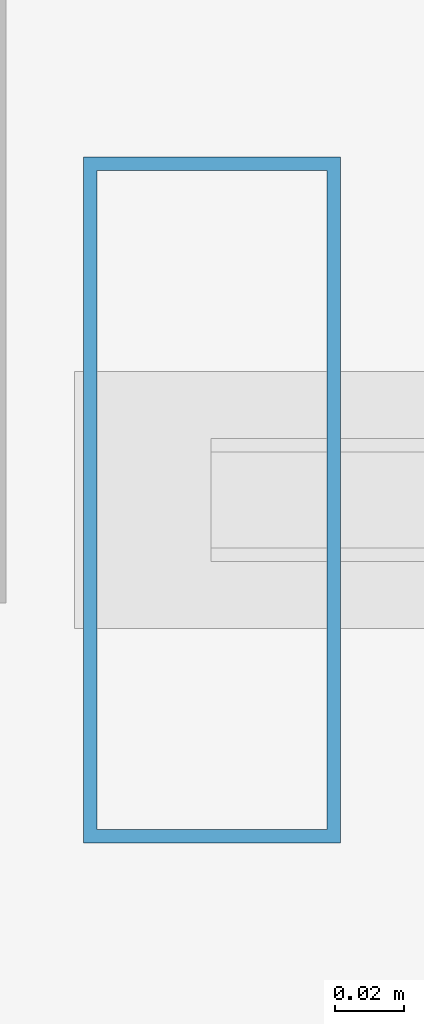
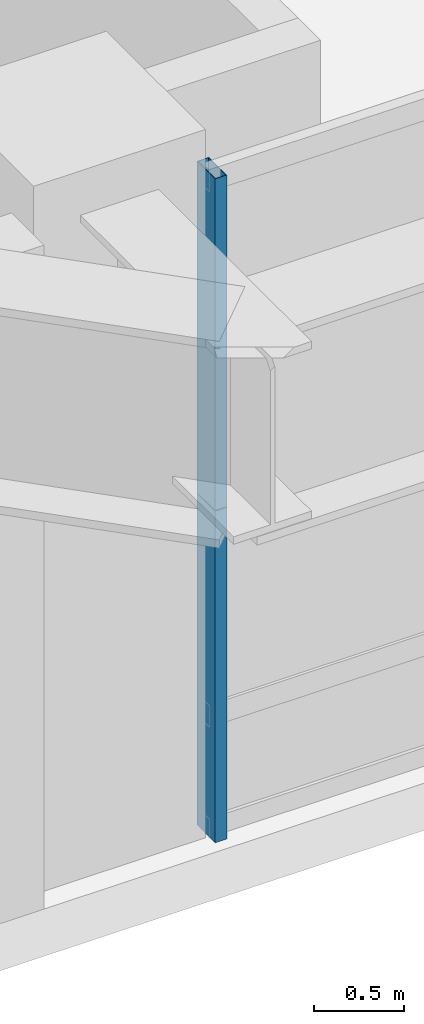
# One storey, part 4 of 34: 2 members, 1 element without a shape of its own.
"""IFC4 building model written with IfcOpenShell, lengths in metres."""

from ifc_helpers import new_model, si_unit, direction, frame, origin, origin_2d, place, context, subcontext, project, spatial, hollow_rectangle, extrude, source, transform, mapped, material, layer, layer_set, material_profile, profile_set, type_object, element, aggregate, save


model = new_model("IFC4")

# Units and contexts
model_context = context("Model", 3, precision=1e-05, world=origin(), true_north=direction((0.0, 1.0)))
body_context = subcontext(model_context, "Body", "Model", "MODEL_VIEW")
ifc_project = project(units=[si_unit("LENGTHUNIT", "METRE"), si_unit("AREAUNIT", "SQUARE_METRE"), si_unit("VOLUMEUNIT", "CUBIC_METRE"), si_unit("PLANEANGLEUNIT", "RADIAN"), si_unit("MASSUNIT", "GRAM", prefix="KILO"), si_unit("THERMODYNAMICTEMPERATUREUNIT", "KELVIN"), si_unit("POWERUNIT", "WATT")], contexts=[model_context])

# Site, building, storey
site_placement = place(None, origin())
site = spatial("IfcSite", under=ifc_project, at=site_placement, CompositionType="ELEMENT")
building_placement = place(site_placement, origin())
building = spatial("IfcBuilding", under=site, at=building_placement, Name="Yuzanri Waterfront Tower", CompositionType="ELEMENT")
storey_placement = place(building_placement, frame((0.0, 0.0, 25.800048828125)))
storey = spatial("IfcBuildingStorey", under=building, at=storey_placement, Name="L06", CompositionType="ELEMENT", Elevation=25.800048828125)

# Curtain wall, members
ifc_material_1 = material(Name="Anodized Architectural Bronze", Category="metal")
ifc_layer = layer(ifc_material_1, 0.159912109375)
ifc_layer_set = layer_set([ifc_layer], Name="Anodized Architectural Bronze")
curtain_wall_type = type_object("IfcCurtainWallType", Name="Anodized Bronze Podium Waterfront Double-Height Unitized Curtain Wall 8400", PredefinedType="NOTDEFINED", material=ifc_layer_set)
curtain_wall_placement = place(storey_placement, origin())
curtain_wall = element("IfcCurtainWall", 1, at=curtain_wall_placement, inside=storey, type_object=curtain_wall_type, Name="L06 Curtain Wall CW-L06-S1", PredefinedType="NOTDEFINED")
ifc_material_2 = material(Name="Anodized Architectural Bronze", Category="metal")
ifc_material_profile = material_profile(ifc_material_2, hollow_rectangle(XDim=0.074951171875, YDim=0.199951171875, WallThickness=0.00390625, at=origin_2d()), Name="CWM 75x200")
ifc_profile_set = profile_set([ifc_material_profile], Name="Anodized Architectural Bronze")
member_type = type_object("IfcMemberType", Name="Anodized Bronze Primary Curtain-Wall Mullion 75x200", PredefinedType="MULLION", material=ifc_profile_set)
shared_shape = source(origin(), body_context, "Body", "SweptSolid", [
    extrude(hollow_rectangle(XDim=0.074951171875, YDim=0.199951171875, WallThickness=0.00390625, at=origin_2d()), origin(), (0.0, 0.0, 1.0), 2.248046875),
])
member_1_placement = place(storey_placement, frame((16.110107421875, 1.97998046875, 0.0), z_axis=(0.0, 0.0, 1.0), x_axis=(1.0, 0.0, 0.0)))
member_1 = element("IfcMember", 2, at=member_1_placement, type_object=member_type, Name="CW-L06-S1 Lower Mullion 00", PredefinedType="MULLION", context=body_context, shape_type="MappedRepresentation", body=[
    mapped(shared_shape, transform((0.0, 0.0, 0.0), scale=1.0)),
])
member_2_placement = place(storey_placement, frame((16.110107421875, 1.97998046875, 2.251953125), z_axis=(0.0, 0.0, 1.0), x_axis=(1.0, 0.0, 0.0)))
member_2 = element("IfcMember", 3, at=member_2_placement, type_object=member_type, Name="CW-L06-S1 Upper Mullion 00", PredefinedType="MULLION", context=body_context, shape_type="MappedRepresentation", body=[
    mapped(shared_shape, transform((0.0, 0.0, 0.0), scale=1.0)),
])
aggregate(curtain_wall, [member_1, member_2])

save(model, "model.ifc")
